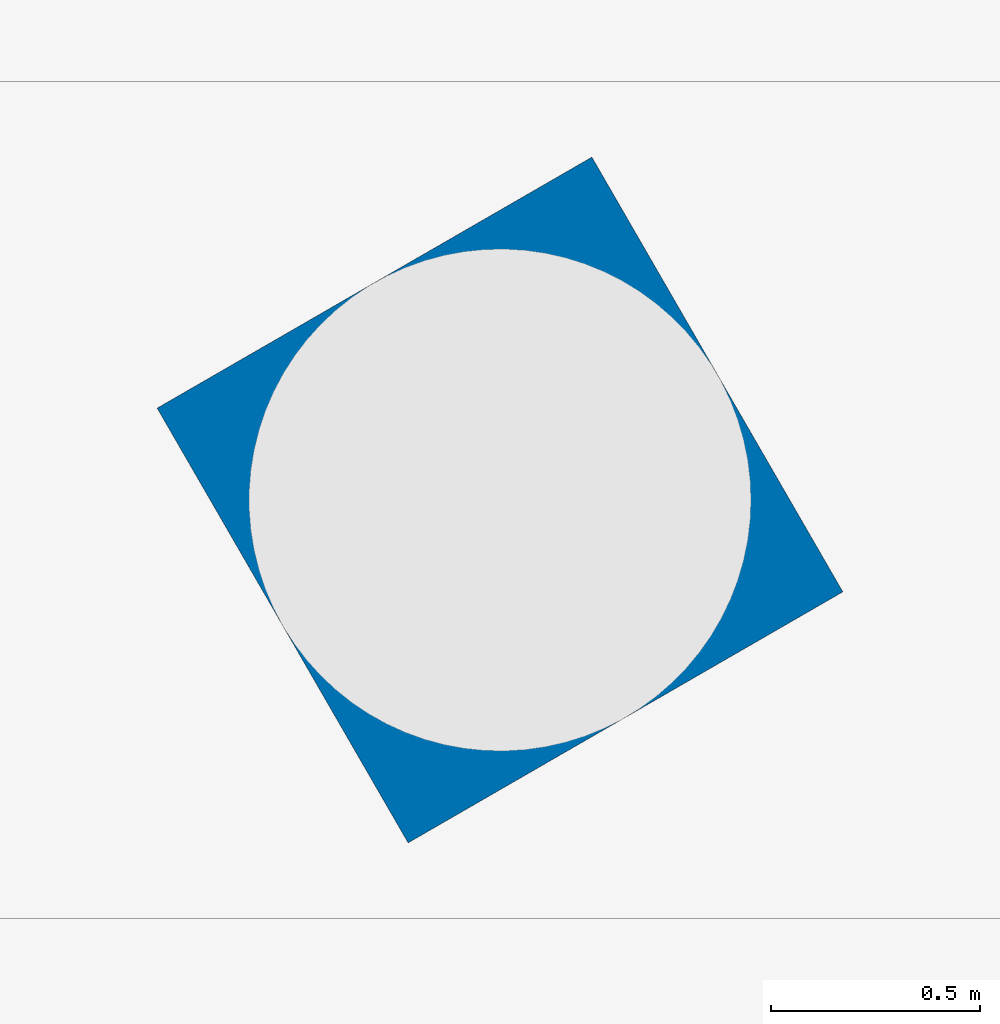
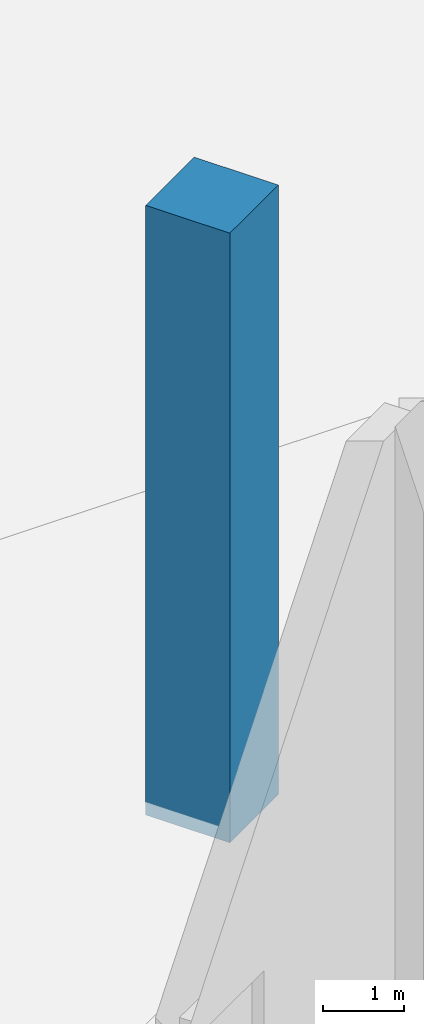
# One storey, part 7 of 63: 1 column.
"""IFC4 building model written with IfcOpenShell, lengths in metres."""

from ifc_helpers import new_model, si_unit, direction, frame, origin, origin_2d, place, context, subcontext, project, spatial, rectangle, extrude, material, material_profile, profile_set, type_object, element, save


model = new_model("IFC4")

# Units and contexts
model_context = context("Model", 3, precision=1e-05, world=origin(), true_north=direction((0.0, 1.0)))
body_context = subcontext(model_context, "Body", "Model", "MODEL_VIEW")
ifc_project = project(units=[si_unit("LENGTHUNIT", "METRE"), si_unit("AREAUNIT", "SQUARE_METRE"), si_unit("VOLUMEUNIT", "CUBIC_METRE"), si_unit("PLANEANGLEUNIT", "RADIAN"), si_unit("MASSUNIT", "GRAM", prefix="KILO")], contexts=[model_context])

# Site, building, storey
site_placement = place(None, origin())
site = spatial("IfcSite", under=ifc_project, at=site_placement, CompositionType="ELEMENT")
building_placement = place(site_placement, origin())
building = spatial("IfcBuilding", under=site, at=building_placement, Name="Jabali Bay Hotel Tower and Convention Centre", CompositionType="ELEMENT")
storey_placement = place(building_placement, origin())
storey = spatial("IfcBuildingStorey", under=building, at=storey_placement, Name="L00", CompositionType="ELEMENT", Elevation=0.0)

# Column
ifc_material = material(Name="Concrete C50", Category="concrete")
ifc_material_profile = material_profile(ifc_material, rectangle(XDim=1.199951171875, YDim=1.199951171875, at=origin_2d()), Name="RC 1200x1200")
ifc_profile_set = profile_set([ifc_material_profile], Name="Concrete C50")
column_type = type_object("IfcColumnType", Name="Arcade Pier 1200x1200", PredefinedType="COLUMN", material=ifc_profile_set)
column_placement = place(storey_placement, frame((94.83984375, 128.982177734375, -0.199951171875), z_axis=(0.0, 0.0, 1.0), x_axis=(-0.866025403784, -0.5, 0.0)))
element("IfcColumn", 1, at=column_placement, inside=storey, type_object=column_type, Name="Arcade pier 2", PredefinedType="COLUMN", context=body_context, shape_type="SweptSolid", body=[
    extrude(rectangle(XDim=1.199951171875, YDim=1.199951171875, at=origin_2d()), origin(), (0.0, 0.0, 1.0), 9.199951171875),
])

save(model, "model.ifc")
